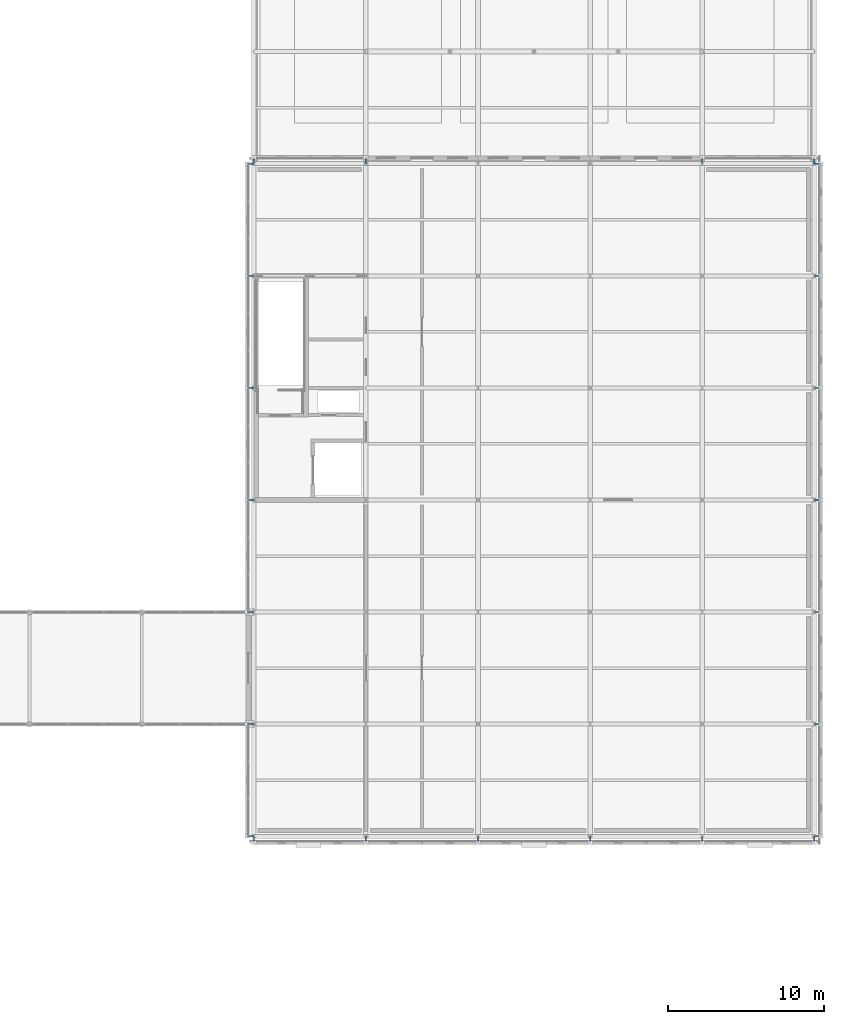
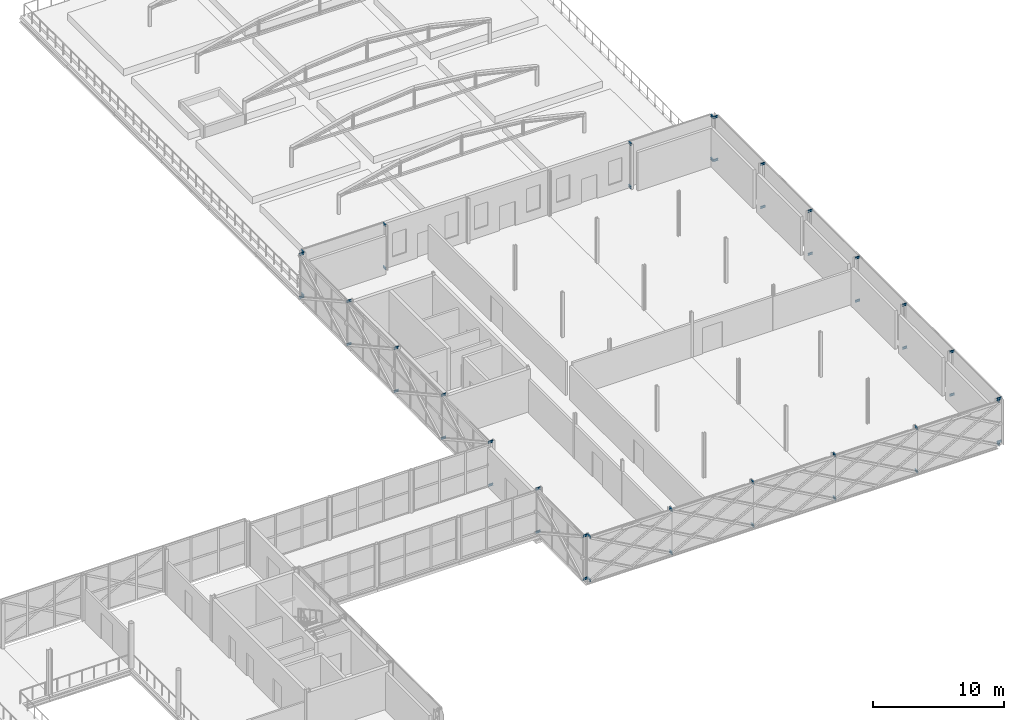
# One storey, part 73 of 126: 48 beams.
"""IFC4 building model written with IfcOpenShell, lengths in metres."""

from ifc_helpers import new_model, si_unit, direction, frame, origin, origin_2d, place, context, subcontext, project, spatial, i_section, extrude, material, material_profile, profile_set, type_object, element, save


model = new_model("IFC4")

# Units and contexts
model_context = context("Model", 3, precision=1e-05, world=origin(), true_north=direction((0.0, 1.0)))
body_context = subcontext(model_context, "Body", "Model", "MODEL_VIEW")
ifc_project = project(units=[si_unit("LENGTHUNIT", "METRE"), si_unit("AREAUNIT", "SQUARE_METRE"), si_unit("VOLUMEUNIT", "CUBIC_METRE"), si_unit("PLANEANGLEUNIT", "RADIAN"), si_unit("MASSUNIT", "GRAM", prefix="KILO")], contexts=[model_context])

# Site, building, storey
site_placement = place(None, origin())
site = spatial("IfcSite", under=ifc_project, at=site_placement, CompositionType="ELEMENT")
building_placement = place(site_placement, origin())
building = spatial("IfcBuilding", under=site, at=building_placement, Name="Zlatovets Crest Museum", CompositionType="ELEMENT")
storey_placement = place(building_placement, frame((0.0, 0.0, 8.699951171875)))
storey = spatial("IfcBuildingStorey", under=building, at=storey_placement, Name="L02", CompositionType="ELEMENT", Elevation=8.699951171875)

# Beams
ifc_material = material(Name="Structural steel S355J2", Category="steel")
ifc_material_profile = material_profile(ifc_material, i_section(OverallWidth=0.10009765625, OverallDepth=0.199951171875, WebThickness=0.005615234375, FlangeThickness=0.008544921875, FilletRadius=0.011962890625, at=origin_2d()), Name="IPE 200")
ifc_profile_set = profile_set([ifc_material_profile], Name="Structural steel S355J2")
beam_type = type_object("IfcBeamType", Name="Beam_PR-02", PredefinedType="LINTEL", material=ifc_profile_set)
for number, where, z_axis, x_axis, name in (
    (1, (129.60009765625, 14.39990234375, 0.10009765625), (0.0, -1.0, 0.0), (1.0, 0.0, 0.0), "Lattice Structural Outrigger Tie"),
    (2, (129.60009765625, 14.39990234375, 4.10009765625), (0.0, -1.0, 0.0), (1.0, 0.0, 0.0), "Lattice Structural Outrigger Tie"),
    (3, (136.800048828125, 14.39990234375, 0.10009765625), (0.0, -1.0, 0.0), (1.0, 0.0, 0.0), "Lattice Structural Outrigger Tie"),
    (4, (136.800048828125, 14.39990234375, 4.10009765625), (0.0, -1.0, 0.0), (1.0, 0.0, 0.0), "Lattice Structural Outrigger Tie"),
    (5, (144.0, 14.39990234375, 0.10009765625), (0.0, -1.0, 0.0), (1.0, 0.0, 0.0), "Lattice Structural Outrigger Tie"),
    (6, (144.0, 14.39990234375, 4.10009765625), (0.0, -1.0, 0.0), (1.0, 0.0, 0.0), "Lattice Structural Outrigger Tie"),
    (7, (151.199951171875, 14.39990234375, 0.10009765625), (0.0, -1.0, 0.0), (1.0, 0.0, 0.0), "Lattice Structural Outrigger Tie"),
    (8, (151.199951171875, 14.39990234375, 4.10009765625), (0.0, -1.0, 0.0), (1.0, 0.0, 0.0), "Lattice Structural Outrigger Tie"),
    (9, (158.39990234375, 14.39990234375, 0.10009765625), (0.0, -1.0, 0.0), (1.0, 0.0, 0.0), "Lattice Structural Outrigger Tie"),
    (10, (158.39990234375, 14.39990234375, 4.10009765625), (0.0, -1.0, 0.0), (1.0, 0.0, 0.0), "Lattice Structural Outrigger Tie"),
    (11, (165.60009765625, 14.39990234375, 0.10009765625), (0.0, -1.0, 0.0), (1.0, 0.0, 0.0), "Lattice Structural Outrigger Tie"),
    (12, (165.60009765625, 14.39990234375, 4.10009765625), (0.0, -1.0, 0.0), (1.0, 0.0, 0.0), "Lattice Structural Outrigger Tie"),
    (13, (165.60009765625, 14.39990234375, 0.10009765625), (1.0, 0.0, 0.0), (0.0, 1.0, 0.0), "Lattice Structural Outrigger Tie"),
    (14, (165.60009765625, 14.39990234375, 4.10009765625), (1.0, 0.0, 0.0), (0.0, 1.0, 0.0), "Lattice Structural Outrigger Tie"),
    (15, (165.60009765625, 21.60009765625, 0.10009765625), (1.0, 0.0, 0.0), (0.0, 1.0, 0.0), "Lattice Structural Outrigger Tie"),
    (16, (165.60009765625, 21.60009765625, 4.10009765625), (1.0, 0.0, 0.0), (0.0, 1.0, 0.0), "Lattice Structural Outrigger Tie"),
    (17, (165.60009765625, 28.800048828125, 0.10009765625), (1.0, 0.0, 0.0), (0.0, 1.0, 0.0), "Lattice Structural Outrigger Tie"),
    (18, (165.60009765625, 28.800048828125, 4.10009765625), (1.0, 0.0, 0.0), (0.0, 1.0, 0.0), "Lattice Structural Outrigger Tie"),
    (19, (165.60009765625, 36.0, 0.10009765625), (1.0, 0.0, 0.0), (0.0, 1.0, 0.0), "Lattice Structural Outrigger Tie"),
    (20, (165.60009765625, 36.0, 4.10009765625), (1.0, 0.0, 0.0), (0.0, 1.0, 0.0), "Lattice Structural Outrigger Tie"),
    (21, (165.60009765625, 43.199951171875, 0.10009765625), (1.0, 0.0, 0.0), (0.0, 1.0, 0.0), "Lattice Structural Outrigger Tie"),
    (22, (165.60009765625, 43.199951171875, 4.10009765625), (1.0, 0.0, 0.0), (0.0, 1.0, 0.0), "Lattice Structural Outrigger Tie"),
    (23, (165.60009765625, 50.39990234375, 0.10009765625), (1.0, 0.0, 0.0), (0.0, 1.0, 0.0), "Lattice Structural Outrigger Tie"),
    (24, (165.60009765625, 50.39990234375, 4.10009765625), (1.0, 0.0, 0.0), (0.0, 1.0, 0.0), "Lattice Structural Outrigger Tie"),
    (25, (165.60009765625, 57.60009765625, 0.10009765625), (1.0, 0.0, 0.0), (0.0, 1.0, 0.0), "Lattice Structural Outrigger Tie"),
    (26, (165.60009765625, 57.60009765625, 4.10009765625), (1.0, 0.0, 0.0), (0.0, 1.0, 0.0), "Lattice Structural Outrigger Tie"),
    (27, (165.60009765625, 57.60009765625, 0.10009765625), (0.0, 1.0, 0.0), (-1.0, 0.0, 0.0), "Lattice Structural Outrigger Tie"),
    (28, (165.60009765625, 57.60009765625, 4.10009765625), (0.0, 1.0, 0.0), (-1.0, 0.0, 0.0), "Lattice Structural Outrigger Tie"),
    (29, (158.39990234375, 57.60009765625, 0.10009765625), (0.0, 1.0, 0.0), (-1.0, 0.0, 0.0), "Lattice Structural Outrigger Tie"),
    (30, (158.39990234375, 57.60009765625, 4.10009765625), (0.0, 1.0, 0.0), (-1.0, 0.0, 0.0), "Lattice Structural Outrigger Tie"),
    (31, (136.800048828125, 57.60009765625, 0.10009765625), (0.0, 1.0, 0.0), (-1.0, 0.0, 0.0), "Lattice Structural Outrigger Tie"),
    (32, (136.800048828125, 57.60009765625, 4.10009765625), (0.0, 1.0, 0.0), (-1.0, 0.0, 0.0), "Lattice Structural Outrigger Tie"),
    (33, (129.60009765625, 57.60009765625, 0.10009765625), (0.0, 1.0, 0.0), (-1.0, 0.0, 0.0), "Lattice Structural Outrigger Tie"),
    (34, (129.60009765625, 57.60009765625, 4.10009765625), (0.0, 1.0, 0.0), (-1.0, 0.0, 0.0), "Lattice Structural Outrigger Tie"),
):
    element("IfcBeam", number, at=place(storey_placement, frame(where, z_axis=z_axis, x_axis=x_axis)), inside=storey, type_object=beam_type, Name=name, PredefinedType="LINTEL", context=body_context, shape_type="SweptSolid", body=[
        extrude(i_section(OverallWidth=0.10009765625, OverallDepth=0.199951171875, WebThickness=0.005615234375, FlangeThickness=0.008544921875, FilletRadius=0.011962890625, at=origin_2d()), origin(), (0.0, 0.0, 1.0), 0.419921875),
    ])
for number, where, z_axis, x_axis, name in (
    (35, (129.60009765625, 57.60009765625, 0.10009765625), (-1.0, 0.0, 0.0), (0.0, -1.0, 0.0), "Lattice Structural Outrigger Tie"),
    (36, (129.60009765625, 57.60009765625, 4.10009765625), (-1.0, 0.0, 0.0), (0.0, -1.0, 0.0), "Lattice Structural Outrigger Tie"),
    (37, (129.60009765625, 50.39990234375, 0.10009765625), (-1.0, 0.0, 0.0), (0.0, -1.0, 0.0), "Lattice Structural Outrigger Tie"),
    (38, (129.60009765625, 50.39990234375, 4.10009765625), (-1.0, 0.0, 0.0), (0.0, -1.0, 0.0), "Lattice Structural Outrigger Tie"),
    (39, (129.60009765625, 43.199951171875, 0.10009765625), (-1.0, 0.0, 0.0), (0.0, -1.0, 0.0), "Lattice Structural Outrigger Tie"),
    (40, (129.60009765625, 43.199951171875, 4.10009765625), (-1.0, 0.0, 0.0), (0.0, -1.0, 0.0), "Lattice Structural Outrigger Tie"),
    (41, (129.60009765625, 36.0, 0.10009765625), (-1.0, 0.0, 0.0), (0.0, -1.0, 0.0), "Lattice Structural Outrigger Tie"),
    (42, (129.60009765625, 36.0, 4.10009765625), (-1.0, 0.0, 0.0), (0.0, -1.0, 0.0), "Lattice Structural Outrigger Tie"),
    (43, (129.60009765625, 28.800048828125, 0.10009765625), (-1.0, 0.0, 0.0), (0.0, -1.0, 0.0), "Lattice Structural Outrigger Tie"),
    (44, (129.60009765625, 28.800048828125, 4.10009765625), (-1.0, 0.0, 0.0), (0.0, -1.0, 0.0), "Lattice Structural Outrigger Tie"),
    (45, (129.60009765625, 21.60009765625, 0.10009765625), (-1.0, 0.0, 0.0), (0.0, -1.0, 0.0), "Lattice Structural Outrigger Tie"),
    (46, (129.60009765625, 21.60009765625, 4.10009765625), (-1.0, 0.0, 0.0), (0.0, -1.0, 0.0), "Lattice Structural Outrigger Tie"),
    (47, (129.60009765625, 14.39990234375, 0.10009765625), (-1.0, 0.0, 0.0), (0.0, -1.0, 0.0), "Lattice Structural Outrigger Tie"),
    (48, (129.60009765625, 14.39990234375, 4.10009765625), (-1.0, 0.0, 0.0), (0.0, -1.0, 0.0), "Lattice Structural Outrigger Tie"),
):
    element("IfcBeam", number, at=place(storey_placement, frame(where, z_axis=z_axis, x_axis=x_axis)), inside=storey, type_object=beam_type, Name=name, PredefinedType="LINTEL", context=body_context, shape_type="SweptSolid", body=[
        extrude(i_section(OverallWidth=0.10009765625, OverallDepth=0.199951171875, WebThickness=0.005615234375, FlangeThickness=0.008544921875, FilletRadius=0.011962890625, at=origin_2d()), origin(), (0.0, 0.0, 1.0), 0.420166015625),
    ])

save(model, "model.ifc")
